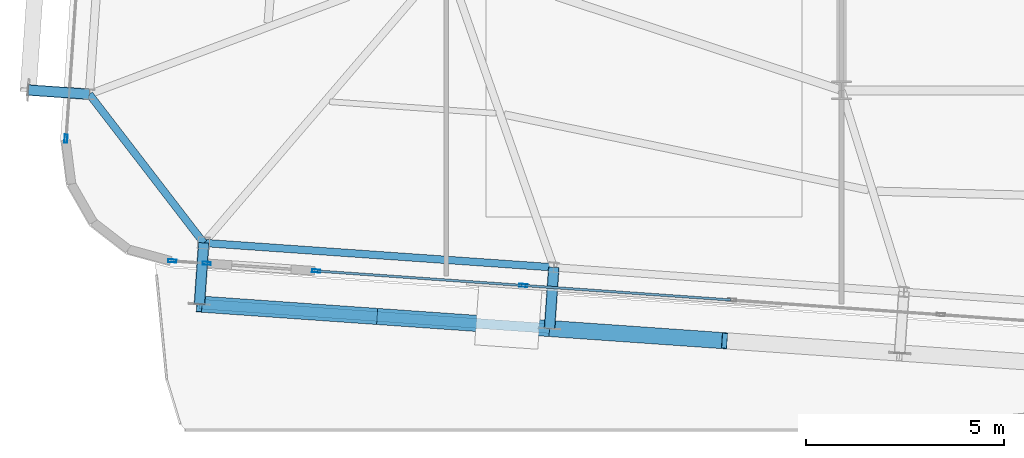
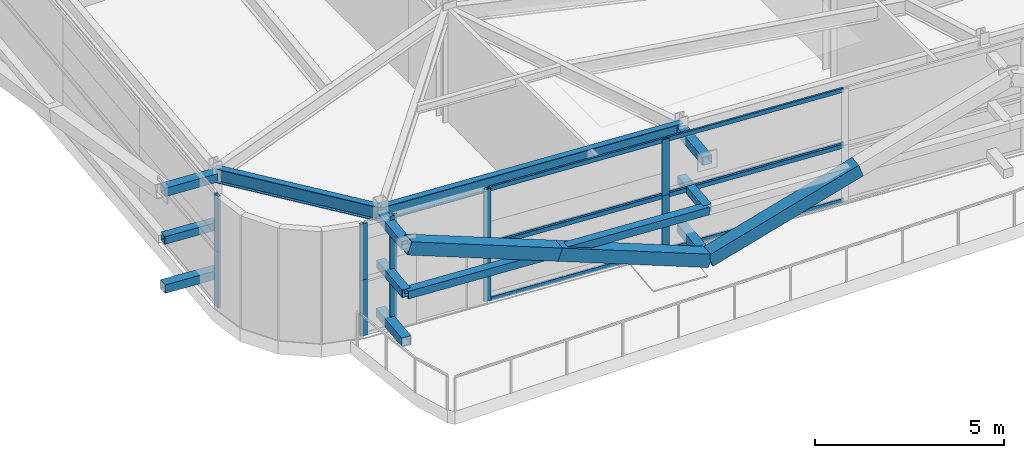
# One storey, part 6 of 36: 31 members, 2 beams, 6 elements without a shape of their own.
"""IFC4 building model written with IfcOpenShell, lengths in metres."""

from ifc_helpers import new_model, si_unit, direction, frame, origin, origin_2d, place, context, subcontext, project, spatial, hollow_rectangle, i_section, extrude, source, transform, mapped, material, layer, layer_set, material_profile, profile_set, type_object, element, aggregate, save


model = new_model("IFC4")

# Units and contexts
model_context = context("Model", 3, precision=1e-05, world=origin(), true_north=direction((0.0, 1.0)))
body_context = subcontext(model_context, "Body", "Model", "MODEL_VIEW")
ifc_project = project(units=[si_unit("LENGTHUNIT", "METRE"), si_unit("AREAUNIT", "SQUARE_METRE"), si_unit("VOLUMEUNIT", "CUBIC_METRE"), si_unit("PLANEANGLEUNIT", "RADIAN"), si_unit("MASSUNIT", "GRAM", prefix="KILO")], contexts=[model_context])

# Site, building, storey
site_placement = place(None, origin())
site = spatial("IfcSite", under=ifc_project, at=site_placement, CompositionType="ELEMENT")
building_placement = place(site_placement, origin())
building = spatial("IfcBuilding", under=site, at=building_placement, Name="Taldren Reach Tower", CompositionType="ELEMENT")
storey_placement = place(building_placement, frame((0.0, 0.0, 116.550048828125)))
storey = spatial("IfcBuildingStorey", under=building, at=storey_placement, Name="L35", CompositionType="ELEMENT", Elevation=116.550048828125)

# Members
ifc_material_1 = material(Name="Steel Gr 450 (C450L0)", Category="steel")
ifc_material_profile_1 = material_profile(ifc_material_1, hollow_rectangle(XDim=0.27490234375, YDim=0.27490234375, WallThickness=0.00927734375, at=origin_2d()), Name="275x275x9.3SHS")
ifc_profile_set_1 = profile_set([ifc_material_profile_1], Name="Steel Gr 450 (C450L0)")
member_type_1 = type_object("IfcMemberType", Name="MB-TIE273", PredefinedType="STRUT", material=ifc_profile_set_1)
shared_shape_1 = source(origin(), body_context, "Body", "SweptSolid", [
    extrude(hollow_rectangle(XDim=0.27490234375, YDim=0.27490234375, WallThickness=0.00927734375, at=origin_2d()), origin(), (0.0, 0.0, 1.0), 1.5498046875),
])
for number, where, z_axis, x_axis, name in (
    (1, (11.863525390625, 5.33837890625, 3.349853515625), (-0.069780535098, -0.997562367434, 0.0), (0.997562367434, -0.069780535098, 0.0), "Exoskeleton diaphragm tie strut B3-S1 L35"),
    (2, (11.863525390625, 5.33837890625, 0.219970703125), (-0.069780535098, -0.997562367434, 0.0), (0.997562367434, -0.069780535098, 0.0), "Exoskeleton base diaphragm tie strut B3-S1 L35"),
    (3, (20.721923828125, 4.718994140625, 3.349853515625), (-0.069780535098, -0.997562367434, 0.0), (0.997562367434, -0.069780535098, 0.0), "Exoskeleton diaphragm tie strut B3-S2 L35"),
    (4, (20.721923828125, 4.718994140625, 0.219970703125), (-0.069780535098, -0.997562367434, 0.0), (0.997562367434, -0.069780535098, 0.0), "Exoskeleton base diaphragm tie strut B3-S2 L35"),
    (5, (8.96875, 9.099609375, 3.349853515625), (-0.997573320145, 0.069623781384, 0.0), (-0.069623781384, -0.997573320145, 0.0), "Exoskeleton diaphragm tie strut B3-W1 L35"),
    (6, (8.96875, 9.099609375, 0.219970703125), (-0.997573320145, 0.069623781384, 0.0), (-0.069623781384, -0.997573320145, 0.0), "Exoskeleton base diaphragm tie strut B3-W1 L35"),
):
    element("IfcMember", number, at=place(storey_placement, frame(where, z_axis=z_axis, x_axis=x_axis)), inside=storey, type_object=member_type_1, Name=name, PredefinedType="STRUT", context=body_context, shape_type="MappedRepresentation", body=[
        mapped(shared_shape_1, transform((0.0, 0.0, 0.0), scale=1.0)),
    ])
ifc_material_2 = material(Name="Steel Gr 350 (C350L0)", Category="steel")
ifc_material_profile_2 = material_profile(ifc_material_2, hollow_rectangle(XDim=0.25, YDim=0.25, WallThickness=0.010009765625, at=origin_2d()), Name="250x250x10.0SHS")
ifc_profile_set_2 = profile_set([ifc_material_profile_2], Name="Steel Gr 350 (C350L0)")
member_type_2 = type_object("IfcMemberType", Name="MB-POST250", PredefinedType="POST", material=ifc_profile_set_2)
shared_shape_2 = source(origin(), body_context, "Body", "SweptSolid", [
    extrude(hollow_rectangle(XDim=0.25, YDim=0.25, WallThickness=0.010009765625, at=origin_2d()), origin(), (0.0, 0.0, 1.0), 1.5498046875),
])
for number, where, z_axis, x_axis, name in (
    (7, (11.863525390625, 5.33837890625, 1.784912109375), (-0.069780535098, -0.997562367434, 0.0), (0.997562367434, -0.069780535098, 0.0), "Exoskeleton mid-tier diaphragm tie B3-S1 L35"),
    (8, (20.721923828125, 4.718994140625, 1.784912109375), (-0.069780535098, -0.997562367434, 0.0), (0.997562367434, -0.069780535098, 0.0), "Exoskeleton mid-tier diaphragm tie B3-S2 L35"),
    (9, (8.96875, 9.099609375, 1.784912109375), (-0.997573320145, 0.069623781384, 0.0), (-0.069623781384, -0.997573320145, 0.0), "Exoskeleton mid-tier diaphragm tie B3-W1 L35"),
):
    element("IfcMember", number, at=place(storey_placement, frame(where, z_axis=z_axis, x_axis=x_axis)), inside=storey, type_object=member_type_2, Name=name, PredefinedType="POST", context=body_context, shape_type="MappedRepresentation", body=[
        mapped(shared_shape_2, transform((0.0, 0.0, 0.0), scale=1.0)),
    ])

# Beams
ifc_material_3 = material(Name="Steel Gr 350 (350PLUS)", Category="steel")
ifc_material_profile_3 = material_profile(ifc_material_3, i_section(OverallWidth=0.18994140625, OverallDepth=0.4541015625, WebThickness=0.008544921875, FlangeThickness=0.0126953125, at=origin_2d()), Name="460UB67.1")
ifc_profile_set_3 = profile_set([ifc_material_profile_3], Name="Steel Gr 350 (350PLUS)")
beam_type = type_object("IfcBeamType", Name="SP-UB460B", PredefinedType="SPANDREL", material=ifc_profile_set_3)
shared_shape_3 = source(origin(), body_context, "Body", "SweptSolid", [
    extrude(i_section(OverallWidth=0.18994140625, OverallDepth=0.4541015625, WebThickness=0.008544921875, FlangeThickness=0.0126953125, at=origin_2d()), origin(), (0.0, 0.0, 1.0), 8.880126953125),
])
beam_1_placement = place(storey_placement, frame((11.863525390625, 5.33837890625, 3.40283203125), z_axis=(0.997564479639, -0.069750333063, 0.0), x_axis=(0.069750333063, 0.997564479639, 0.0)))
element("IfcBeam", 10, at=beam_1_placement, inside=storey, type_object=beam_type, Name="Perimeter spandrel B3 S1-S2 L35", PredefinedType="SPANDREL", context=body_context, shape_type="MappedRepresentation", body=[
    mapped(shared_shape_3, transform((0.0, 0.0, 0.0), scale=1.0)),
])
shared_shape_4 = source(origin(), body_context, "Body", "SweptSolid", [
    extrude(i_section(OverallWidth=0.18994140625, OverallDepth=0.4541015625, WebThickness=0.008544921875, FlangeThickness=0.0126953125, at=origin_2d()), origin(), (0.0, 0.0, 1.0), 4.746337890625),
])
beam_2_placement = place(storey_placement, frame((8.96875, 9.099609375, 3.40283203125), z_axis=(0.609912099004, -0.792469072891, 0.0), x_axis=(0.792469072891, 0.609912099004, 0.0)))
element("IfcBeam", 11, at=beam_2_placement, inside=storey, type_object=beam_type, Name="Perimeter spandrel B3 W1-S1 L35", PredefinedType="SPANDREL", context=body_context, shape_type="MappedRepresentation", body=[
    mapped(shared_shape_4, transform((0.0, 0.0, 0.0), scale=1.0)),
])

# Members
ifc_material_profile_4 = material_profile(ifc_material_1, hollow_rectangle(XDim=0.409912109375, YDim=0.409912109375, WallThickness=0.01611328125, at=origin_2d()), Name="410x410x16.0SHS")
ifc_profile_set_4 = profile_set([ifc_material_profile_4], Name="Steel Gr 450 (C450L0)")
member_type_3 = type_object("IfcMemberType", Name="MB-EXO406", PredefinedType="BRACE", material=ifc_profile_set_4)
shared_shape_5 = source(origin(), body_context, "Body", "SweptSolid", [
    extrude(hollow_rectangle(XDim=0.409912109375, YDim=0.409912109375, WallThickness=0.01611328125, at=origin_2d()), origin(), (0.0, 0.0, 1.0), 4.707763671875),
])
for number, where, z_axis, x_axis, name in (
    (12, (20.61376953125, 3.1728515625, 0.219970703125), (-0.940836301296, 0.065757933527, 0.332419837466), (-0.069722973508, -0.997566392259, 0.0), "Exoskeleton Diagrid Brace B3-S1 L35"),
    (13, (16.1845703125, 3.482421875, 1.784912109375), (-0.940833091628, 0.065809568585, 0.332418703414), (-0.06977769246, -0.997562566276, 0.0), "Exoskeleton Diagrid Brace B3-S1 L35"),
    (14, (20.61376953125, 3.1728515625, 0.219970703125), (0.940833091628, -0.065809568585, 0.332418703414), (0.06977769246, 0.997562566276, 0.0), "Exoskeleton Diagrid Brace B3-S2 L35"),
):
    element("IfcMember", number, at=place(storey_placement, frame(where, z_axis=z_axis, x_axis=x_axis)), inside=storey, type_object=member_type_3, Name=name, PredefinedType="BRACE", context=body_context, shape_type="MappedRepresentation", body=[
        mapped(shared_shape_5, transform((0.0, 0.0, 0.0), scale=1.0)),
    ])
shared_shape_6 = source(origin(), body_context, "Body", "SweptSolid", [
    extrude(hollow_rectangle(XDim=0.25, YDim=0.25, WallThickness=0.010009765625, at=origin_2d()), origin(), (0.0, 0.0, 1.0), 8.880126953125),
])
member_1_placement = place(storey_placement, frame((11.75537109375, 3.792236328125, 1.784912109375), z_axis=(0.997564479639, -0.069750333063, 0.0), x_axis=(0.069750333063, 0.997564479639, 0.0)))
element("IfcMember", 15, at=member_1_placement, inside=storey, type_object=member_type_2, Name="Exoskeleton mid-height ring chord B3-S1 L35", PredefinedType="POST", context=body_context, shape_type="MappedRepresentation", body=[
    mapped(shared_shape_6, transform((0.0, 0.0, 0.0), scale=1.0)),
])

# Curtain wall, members
ifc_material_4 = material(Name="Aluminium and Low-E Glass Unitised System", Category="aluminium")
ifc_layer = layer(ifc_material_4, 0.159912109375)
ifc_layer_set = layer_set([ifc_layer], Name="Aluminium and Low-E Glass Unitised System")
curtain_wall_type = type_object("IfcCurtainWallType", Name="CW-SYS-7", PredefinedType="NOTDEFINED", material=ifc_layer_set)
curtain_wall_1_placement = place(storey_placement, origin())
curtain_wall_1 = element("IfcCurtainWall", 16, at=curtain_wall_1_placement, inside=storey, type_object=curtain_wall_type, Name="Unitised curtain wall CW-L35-S1", PredefinedType="NOTDEFINED")
ifc_material_5 = material(Name="Anodised Aluminium 6063-T6", Category="aluminium")
ifc_material_profile_5 = material_profile(ifc_material_5, hollow_rectangle(XDim=0.074951171875, YDim=0.2099609375, WallThickness=0.00439453125, at=origin_2d()), Name="ALU-210x75x4.5RHS")
ifc_profile_set_5 = profile_set([ifc_material_profile_5], Name="Anodised Aluminium 6063-T6")
member_type_4 = type_object("IfcMemberType", Name="CW-MUL-200", PredefinedType="MULLION", material=ifc_profile_set_5)
shared_shape_7 = source(origin(), body_context, "Body", "SweptSolid", [
    extrude(hollow_rectangle(XDim=0.074951171875, YDim=0.2099609375, WallThickness=0.00439453125, at=origin_2d()), origin(), (0.0, 0.0, 1.0), 1.81494140625),
])
member_2_placement = place(storey_placement, frame((11.0673828125, 4.8828125, 0.0), z_axis=(0.0, 0.0, 1.0), x_axis=(0.069757583664, 0.997563972646, 0.0)))
member_2 = element("IfcMember", 17, at=member_2_placement, type_object=member_type_4, Name="CW-7 mullion 1", PredefinedType="MULLION", context=body_context, shape_type="MappedRepresentation", body=[
    mapped(shared_shape_7, transform((0.0, 0.0, 0.0), scale=1.0)),
])
member_3_placement = place(storey_placement, frame((11.940185546875, 4.82177734375, 0.0), z_axis=(0.0, 0.0, 1.0), x_axis=(0.069757583664, 0.997563972646, 0.0)))
member_3 = element("IfcMember", 18, at=member_3_placement, type_object=member_type_4, Name="CW-7 mullion 2", PredefinedType="MULLION", context=body_context, shape_type="MappedRepresentation", body=[
    mapped(shared_shape_7, transform((0.0, 0.0, 0.0), scale=1.0)),
])
aggregate(curtain_wall_1, [member_2, member_3])

curtain_wall_2_placement = place(storey_placement, origin())
curtain_wall_2 = element("IfcCurtainWall", 19, at=curtain_wall_2_placement, inside=storey, type_object=curtain_wall_type, Name="Unitised curtain wall CW-L35-S1-T2", PredefinedType="NOTDEFINED")
member_4_placement = place(storey_placement, frame((11.0673828125, 4.8828125, 1.81494140625), z_axis=(0.0, 0.0, 1.0), x_axis=(0.069757583664, 0.997563972646, 0.0)))
member_4 = element("IfcMember", 20, at=member_4_placement, type_object=member_type_4, Name="CW-7 mullion 1", PredefinedType="MULLION", context=body_context, shape_type="MappedRepresentation", body=[
    mapped(shared_shape_7, transform((0.0, 0.0, 0.0), scale=1.0)),
])
member_5_placement = place(storey_placement, frame((11.940185546875, 4.82177734375, 1.81494140625), z_axis=(0.0, 0.0, 1.0), x_axis=(0.069757583664, 0.997563972646, 0.0)))
member_5 = element("IfcMember", 21, at=member_5_placement, type_object=member_type_4, Name="CW-7 mullion 2", PredefinedType="MULLION", context=body_context, shape_type="MappedRepresentation", body=[
    mapped(shared_shape_7, transform((0.0, 0.0, 0.0), scale=1.0)),
])
aggregate(curtain_wall_2, [member_4, member_5])

curtain_wall_3_placement = place(storey_placement, origin())
curtain_wall_3 = element("IfcCurtainWall", 22, at=curtain_wall_3_placement, inside=storey, type_object=curtain_wall_type, Name="Unitised curtain wall CW-L35-S2", PredefinedType="NOTDEFINED")
member_6_placement = place(storey_placement, frame((14.70849609375, 4.628173828125, 0.0), z_axis=(0.0, 0.0, 1.0), x_axis=(0.069756548088, 0.997564045061, 0.0)))
member_6 = element("IfcMember", 23, at=member_6_placement, type_object=member_type_4, Name="CW-7 mullion 1", PredefinedType="MULLION", context=body_context, shape_type="MappedRepresentation", body=[
    mapped(shared_shape_7, transform((0.0, 0.0, 0.0), scale=1.0)),
])
member_7_placement = place(storey_placement, frame((19.951904296875, 4.261474609375, 0.0), z_axis=(0.0, 0.0, 1.0), x_axis=(0.069756548088, 0.997564045061, 0.0)))
member_7 = element("IfcMember", 24, at=member_7_placement, type_object=member_type_4, Name="CW-7 mullion 2", PredefinedType="MULLION", context=body_context, shape_type="MappedRepresentation", body=[
    mapped(shared_shape_7, transform((0.0, 0.0, 0.0), scale=1.0)),
])

curtain_wall_4_placement = place(storey_placement, origin())
curtain_wall_4 = element("IfcCurtainWall", 25, at=curtain_wall_4_placement, inside=storey, type_object=curtain_wall_type, Name="Unitised curtain wall CW-L35-S2-T2", PredefinedType="NOTDEFINED")
member_8_placement = place(storey_placement, frame((14.70849609375, 4.628173828125, 1.81494140625), z_axis=(0.0, 0.0, 1.0), x_axis=(0.069756548088, 0.997564045061, 0.0)))
member_8 = element("IfcMember", 26, at=member_8_placement, type_object=member_type_4, Name="CW-7 mullion 1", PredefinedType="MULLION", context=body_context, shape_type="MappedRepresentation", body=[
    mapped(shared_shape_7, transform((0.0, 0.0, 0.0), scale=1.0)),
])
member_9_placement = place(storey_placement, frame((19.951904296875, 4.261474609375, 1.81494140625), z_axis=(0.0, 0.0, 1.0), x_axis=(0.069756548088, 0.997564045061, 0.0)))
member_9 = element("IfcMember", 27, at=member_9_placement, type_object=member_type_4, Name="CW-7 mullion 2", PredefinedType="MULLION", context=body_context, shape_type="MappedRepresentation", body=[
    mapped(shared_shape_7, transform((0.0, 0.0, 0.0), scale=1.0)),
])

# Curtain wall, member
curtain_wall_5_placement = place(storey_placement, origin())
curtain_wall_5 = element("IfcCurtainWall", 28, at=curtain_wall_5_placement, inside=storey, type_object=curtain_wall_type, Name="Unitised curtain wall CW-L35-W", PredefinedType="NOTDEFINED")
member_10_placement = place(storey_placement, frame((8.37890625, 7.975341796875, 0.0), z_axis=(0.0, 0.0, 1.0), x_axis=(0.997564052812, -0.069756437251, 0.0)))
member_10 = element("IfcMember", 29, at=member_10_placement, type_object=member_type_4, Name="CW-7 mullion 3", PredefinedType="MULLION", context=body_context, shape_type="MappedRepresentation", body=[
    mapped(shared_shape_7, transform((0.0, 0.0, 0.0), scale=1.0)),
])
aggregate(curtain_wall_5, [member_10])

curtain_wall_6_placement = place(storey_placement, origin())
curtain_wall_6 = element("IfcCurtainWall", 30, at=curtain_wall_6_placement, inside=storey, type_object=curtain_wall_type, Name="Unitised curtain wall CW-L35-W-T2", PredefinedType="NOTDEFINED")
member_11_placement = place(storey_placement, frame((8.37890625, 7.975341796875, 1.81494140625), z_axis=(0.0, 0.0, 1.0), x_axis=(0.997564052812, -0.069756437251, 0.0)))
member_11 = element("IfcMember", 31, at=member_11_placement, type_object=member_type_4, Name="CW-7 mullion 3", PredefinedType="MULLION", context=body_context, shape_type="MappedRepresentation", body=[
    mapped(shared_shape_7, transform((0.0, 0.0, 0.0), scale=1.0)),
])
aggregate(curtain_wall_6, [member_11])

# Member
ifc_material_profile_6 = material_profile(ifc_material_5, hollow_rectangle(XDim=0.06005859375, YDim=0.135009765625, WallThickness=0.00341796875, at=origin_2d()), Name="ALU-135x60x3.5RHS")
ifc_profile_set_6 = profile_set([ifc_material_profile_6], Name="Anodised Aluminium 6063-T6")
member_type_5 = type_object("IfcMemberType", Name="CW-TRN-150", PredefinedType="USERDEFINED", material=ifc_profile_set_6)
shared_shape_8 = source(origin(), body_context, "Body", "SweptSolid", [
    extrude(hollow_rectangle(XDim=0.06005859375, YDim=0.135009765625, WallThickness=0.00341796875, at=origin_2d()), origin(), (0.0, 0.0, 1.0), 5.181396484375),
])
member_12_placement = place(storey_placement, frame((14.745849609375, 4.625732421875, 0.030029296875), z_axis=(0.997562149903, -0.069783644797, 0.0), x_axis=(0.069783644797, 0.997562149903, 0.0)))
member_12 = element("IfcMember", 32, at=member_12_placement, type_object=member_type_5, Name="CW-7 transom 1.1", ObjectType="TRANSOM", PredefinedType="USERDEFINED", context=body_context, shape_type="MappedRepresentation", body=[
    mapped(shared_shape_8, transform((0.0, 0.0, 0.0), scale=1.0)),
])

member_13_placement = place(storey_placement, frame((14.745849609375, 4.625732421875, 1.784912109375), z_axis=(0.997562149903, -0.069783644797, 0.0), x_axis=(0.069783644797, 0.997562149903, 0.0)))
member_13 = element("IfcMember", 33, at=member_13_placement, type_object=member_type_5, Name="CW-7 transom 1.2", ObjectType="TRANSOM", PredefinedType="USERDEFINED", context=body_context, shape_type="MappedRepresentation", body=[
    mapped(shared_shape_8, transform((0.0, 0.0, 0.0), scale=1.0)),
])

member_14_placement = place(storey_placement, frame((14.745849609375, 4.625732421875, 1.844970703125), z_axis=(0.997562149903, -0.069783644797, 0.0), x_axis=(0.069783644797, 0.997562149903, 0.0)))
member_14 = element("IfcMember", 34, at=member_14_placement, type_object=member_type_5, Name="CW-7 transom 1.1", ObjectType="TRANSOM", PredefinedType="USERDEFINED", context=body_context, shape_type="MappedRepresentation", body=[
    mapped(shared_shape_8, transform((0.0, 0.0, 0.0), scale=1.0)),
])

member_15_placement = place(storey_placement, frame((14.745849609375, 4.625732421875, 3.599853515625), z_axis=(0.997562149903, -0.069783644797, 0.0), x_axis=(0.069783644797, 0.997562149903, 0.0)))
member_15 = element("IfcMember", 35, at=member_15_placement, type_object=member_type_5, Name="CW-7 transom 1.2", ObjectType="TRANSOM", PredefinedType="USERDEFINED", context=body_context, shape_type="MappedRepresentation", body=[
    mapped(shared_shape_8, transform((0.0, 0.0, 0.0), scale=1.0)),
])

shared_shape_9 = source(origin(), body_context, "Body", "SweptSolid", [
    extrude(hollow_rectangle(XDim=0.06005859375, YDim=0.135009765625, WallThickness=0.00341796875, at=origin_2d()), origin(), (0.0, 0.0, 1.0), 5.21875),
])
member_16_placement = place(storey_placement, frame((19.9892578125, 4.259033203125, 0.030029296875), z_axis=(0.997564438731, -0.069750918127, 0.0), x_axis=(0.069750918127, 0.997564438731, 0.0)))
member_16 = element("IfcMember", 36, at=member_16_placement, type_object=member_type_5, Name="CW-7 transom 2.1", ObjectType="TRANSOM", PredefinedType="USERDEFINED", context=body_context, shape_type="MappedRepresentation", body=[
    mapped(shared_shape_9, transform((0.0, 0.0, 0.0), scale=1.0)),
])

member_17_placement = place(storey_placement, frame((19.9892578125, 4.259033203125, 1.784912109375), z_axis=(0.997564438731, -0.069750918127, 0.0), x_axis=(0.069750918127, 0.997564438731, 0.0)))
member_17 = element("IfcMember", 37, at=member_17_placement, type_object=member_type_5, Name="CW-7 transom 2.2", ObjectType="TRANSOM", PredefinedType="USERDEFINED", context=body_context, shape_type="MappedRepresentation", body=[
    mapped(shared_shape_9, transform((0.0, 0.0, 0.0), scale=1.0)),
])

aggregate(curtain_wall_3, [member_6, member_7, member_12, member_13, member_16, member_17])

member_18_placement = place(storey_placement, frame((19.9892578125, 4.259033203125, 1.844970703125), z_axis=(0.997564438731, -0.069750918127, 0.0), x_axis=(0.069750918127, 0.997564438731, 0.0)))
member_18 = element("IfcMember", 38, at=member_18_placement, type_object=member_type_5, Name="CW-7 transom 2.1", ObjectType="TRANSOM", PredefinedType="USERDEFINED", context=body_context, shape_type="MappedRepresentation", body=[
    mapped(shared_shape_9, transform((0.0, 0.0, 0.0), scale=1.0)),
])

member_19_placement = place(storey_placement, frame((19.9892578125, 4.259033203125, 3.599853515625), z_axis=(0.997564438731, -0.069750918127, 0.0), x_axis=(0.069750918127, 0.997564438731, 0.0)))
member_19 = element("IfcMember", 39, at=member_19_placement, type_object=member_type_5, Name="CW-7 transom 2.2", ObjectType="TRANSOM", PredefinedType="USERDEFINED", context=body_context, shape_type="MappedRepresentation", body=[
    mapped(shared_shape_9, transform((0.0, 0.0, 0.0), scale=1.0)),
])

aggregate(curtain_wall_4, [member_8, member_9, member_14, member_15, member_18, member_19])

save(model, "model.ifc")
